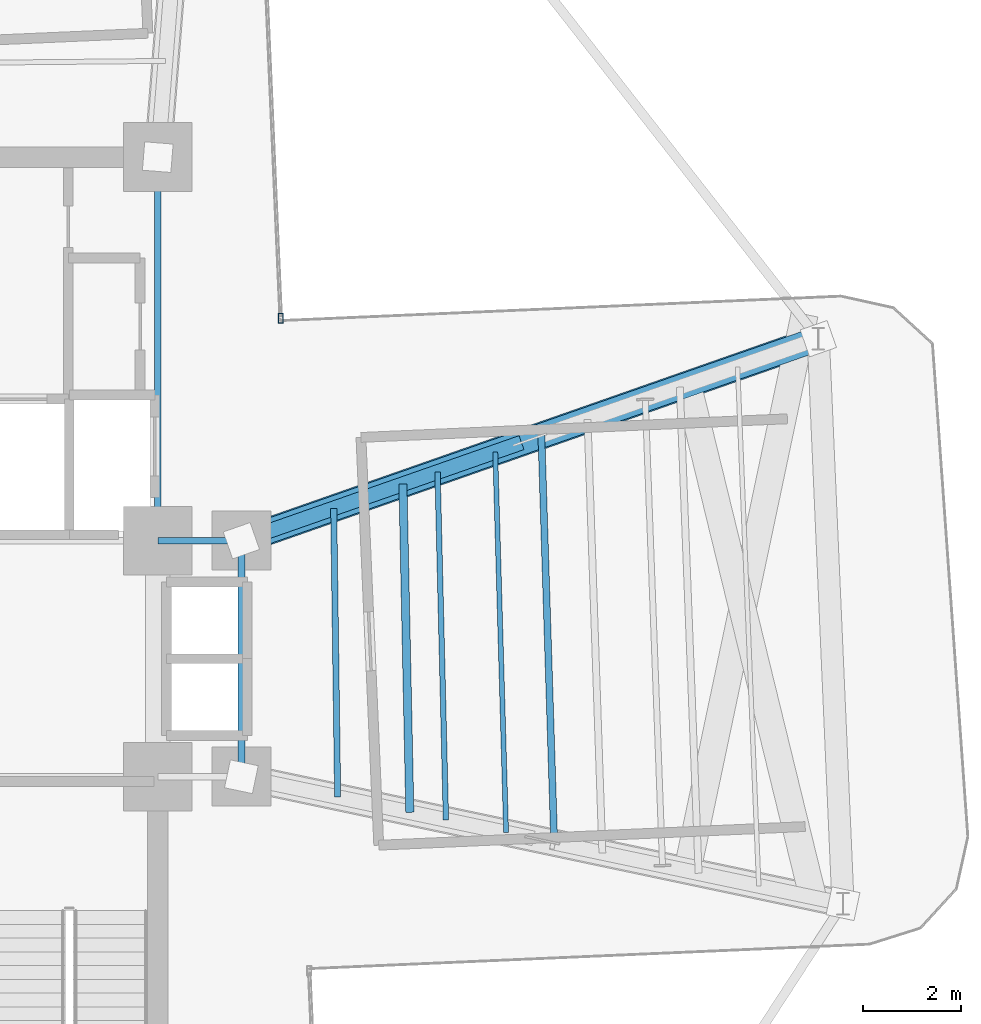
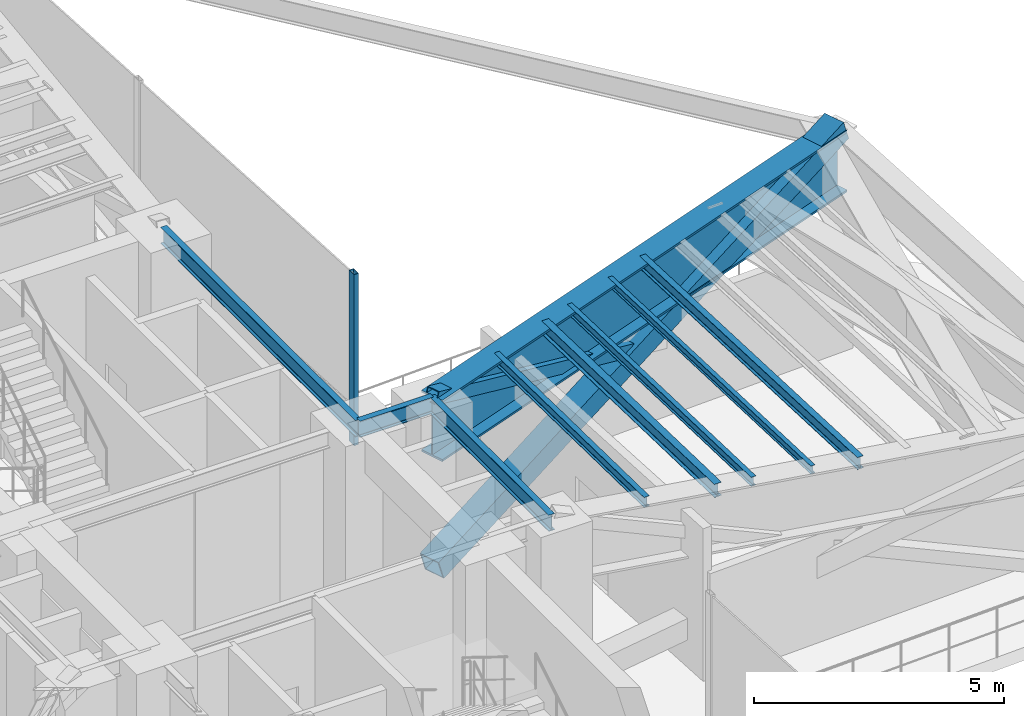
# One storey, part 7 of 18: 9 beams, 3 members, 1 element without a shape of its own.
"""IFC4 building model written with IfcOpenShell, lengths in metres."""

from ifc_helpers import new_model, si_unit, direction, frame, origin, origin_2d, place, context, subcontext, project, spatial, hollow_rectangle, i_section, extrude, source, transform, mapped, material, material_profile, profile_set, type_object, element, aggregate, save


model = new_model("IFC4")

# Units and contexts
model_context = context("Model", 3, precision=1e-05, world=origin(), true_north=direction((0.0, 1.0)))
body_context = subcontext(model_context, "Body", "Model", "MODEL_VIEW")
ifc_project = project(units=[si_unit("LENGTHUNIT", "METRE"), si_unit("AREAUNIT", "SQUARE_METRE"), si_unit("VOLUMEUNIT", "CUBIC_METRE"), si_unit("PLANEANGLEUNIT", "RADIAN"), si_unit("MASSUNIT", "GRAM", prefix="KILO")], contexts=[model_context])

# Site, building, storey
site_placement = place(None, origin())
site = spatial("IfcSite", under=ifc_project, at=site_placement, CompositionType="ELEMENT")
building_placement = place(site_placement, origin())
building = spatial("IfcBuilding", under=site, at=building_placement, Name="Sahyath Konkavel Grand Hotel", CompositionType="ELEMENT")
storey_placement = place(building_placement, frame((0.0, 0.0, 138.25)))
storey = spatial("IfcBuildingStorey", under=building, at=storey_placement, Name="L38", CompositionType="ELEMENT", Elevation=138.25)

# Beams
ifc_material_1 = material(Name="Steel E350", Category="steel")
ifc_material_profile_1 = material_profile(ifc_material_1, i_section(OverallWidth=0.139892578125, OverallDepth=0.39990234375, WebThickness=0.0087890625, FlangeThickness=0.01611328125, FilletRadius=0.013916015625, at=origin_2d()), Name="ISMB 400")
ifc_profile_set_1 = profile_set([ifc_material_profile_1], Name="Steel E350")
beam_type_1 = type_object("IfcBeamType", Name="BM-ISMB400", PredefinedType="BEAM", material=ifc_profile_set_1)
shared_shape_1 = source(origin(), body_context, "Body", "SweptSolid", [
    extrude(i_section(OverallWidth=0.139892578125, OverallDepth=0.39990234375, WebThickness=0.0087890625, FlangeThickness=0.01611328125, FilletRadius=0.013916015625, at=origin_2d()), origin(), (0.0, 0.0, 1.0), 7.800048828125),
])
beam_1_placement = place(storey_placement, frame((3.800048828125, 2.39990234375, 3.97998046875), z_axis=(0.0, 1.0, 0.0), x_axis=(-1.0, 0.0, 0.0)))
element("IfcBeam", 1, at=beam_1_placement, inside=storey, type_object=beam_type_1, Name="str:bm:L38:NC-E", PredefinedType="BEAM", context=body_context, shape_type="MappedRepresentation", body=[
    mapped(shared_shape_1, transform((0.0, 0.0, 0.0), scale=1.0)),
])
shared_shape_2 = source(origin(), body_context, "Body", "SweptSolid", [
    extrude(i_section(OverallWidth=0.139892578125, OverallDepth=0.39990234375, WebThickness=0.0087890625, FlangeThickness=0.01611328125, FilletRadius=0.013916015625, at=origin_2d()), origin(), (0.0, 0.0, 1.0), 1.699951171875),
])
beam_2_placement = place(storey_placement, frame((3.800048828125, 2.39990234375, 3.97998046875), z_axis=(1.0, 0.0, 0.0), x_axis=(0.0, 1.0, 0.0)))
element("IfcBeam", 2, at=beam_2_placement, inside=storey, type_object=beam_type_1, Name="str:bm:L38:HB-NE", PredefinedType="BEAM", context=body_context, shape_type="MappedRepresentation", body=[
    mapped(shared_shape_2, transform((0.0, 0.0, 0.0), scale=1.0)),
])
shared_shape_3 = source(origin(), body_context, "Body", "SweptSolid", [
    extrude(i_section(OverallWidth=0.139892578125, OverallDepth=0.39990234375, WebThickness=0.0087890625, FlangeThickness=0.01611328125, FilletRadius=0.013916015625, at=origin_2d()), origin(), (0.0, 0.0, 1.0), 4.7998046875),
])
beam_3_placement = place(storey_placement, frame((5.5, -2.39990234375, 3.97998046875), z_axis=(0.0, 1.0, 0.0), x_axis=(-1.0, 0.0, 0.0)))
element("IfcBeam", 3, at=beam_3_placement, inside=storey, type_object=beam_type_1, Name="str:bm:L38:HB-E", PredefinedType="BEAM", context=body_context, shape_type="MappedRepresentation", body=[
    mapped(shared_shape_3, transform((0.0, 0.0, 0.0), scale=1.0)),
])
ifc_material_profile_2 = material_profile(ifc_material_1, i_section(OverallWidth=0.1650390625, OverallDepth=0.324951171875, WebThickness=0.007080078125, FlangeThickness=0.009765625, FilletRadius=0.014892578125, at=origin_2d()), Name="ISLB 325")
ifc_profile_set_2 = profile_set([ifc_material_profile_2], Name="Steel E350")
beam_type_2 = type_object("IfcBeamType", Name="BM-ISLB325", PredefinedType="BEAM", material=ifc_profile_set_2)
shared_shape_4 = source(origin(), body_context, "Body", "SweptSolid", [
    extrude(i_section(OverallWidth=0.1650390625, OverallDepth=0.324951171875, WebThickness=0.007080078125, FlangeThickness=0.009765625, FilletRadius=0.014892578125, at=origin_2d()), origin(), (0.0, 0.0, 1.0), 6.674560546875),
])
beam_4_placement = place(storey_placement, frame((8.925537109375, -3.122802734375, 4.017578125), z_axis=(-0.021032188543, 0.999778799058, 0.0), x_axis=(-0.999778799058, -0.021032188543, 0.0)))
element("IfcBeam", 4, at=beam_4_placement, inside=storey, type_object=beam_type_2, Name="L38 Secondary Floor Beam E-1", PredefinedType="BEAM", context=body_context, shape_type="MappedRepresentation", body=[
    mapped(shared_shape_4, transform((0.0, 0.0, 0.0), scale=1.0)),
])
ifc_material_profile_3 = material_profile(ifc_material_1, i_section(OverallWidth=0.139892578125, OverallDepth=0.300048828125, WebThickness=0.0078125, FlangeThickness=0.01318359375, FilletRadius=0.013916015625, at=origin_2d()), Name="ISMB 300")
ifc_profile_set_3 = profile_set([ifc_material_profile_3], Name="Steel E350")
beam_type_3 = type_object("IfcBeamType", Name="BM-ISMB300", PredefinedType="BEAM", material=ifc_profile_set_3)
shared_shape_5 = source(origin(), body_context, "Body", "SweptSolid", [
    extrude(i_section(OverallWidth=0.139892578125, OverallDepth=0.300048828125, WebThickness=0.0078125, FlangeThickness=0.01318359375, FilletRadius=0.013916015625, at=origin_2d()), origin(), (0.0, 0.0, 1.0), 8.282470703125),
])
beam_5_placement = place(storey_placement, frame((11.86181640625, -3.7421875, 4.030029296875), z_axis=(-0.031510827707, 0.999503410568, 0.0), x_axis=(-0.999503410568, -0.031510827707, 0.0)))
element("IfcBeam", 5, at=beam_5_placement, inside=storey, type_object=beam_type_3, Name="L38 Secondary Floor Beam E-2", PredefinedType="BEAM", context=body_context, shape_type="MappedRepresentation", body=[
    mapped(shared_shape_5, transform((0.0, 0.0, 0.0), scale=1.0)),
])
ifc_material_2 = material(Name="Steel E450", Category="steel")
ifc_material_profile_4 = material_profile(ifc_material_2, i_section(OverallWidth=0.550048828125, OverallDepth=1.5, WebThickness=0.028076171875, FlangeThickness=0.050048828125, at=origin_2d()), Name="BPG 1500x550")
ifc_profile_set_4 = profile_set([ifc_material_profile_4], Name="Steel E450")
beam_type_4 = type_object("IfcBeamType", Name="BM-BPG1500", PredefinedType="BEAM", material=ifc_profile_set_4)
shared_shape_6 = source(origin(), body_context, "Body", "SweptSolid", [
    extrude(i_section(OverallWidth=0.550048828125, OverallDepth=1.5, WebThickness=0.028076171875, FlangeThickness=0.050048828125, at=origin_2d()), origin(), (0.0, 0.0, 1.0), 12.430908203125),
])
beam_6_placement = place(storey_placement, frame((5.5, 2.39990234375, 3.429931640625), z_axis=(0.943819157235, 0.330462400941, 0.0), x_axis=(-0.330462400941, 0.943819157235, 0.0)))
element("IfcBeam", 6, at=beam_6_placement, inside=storey, type_object=beam_type_4, Name="L38 Setback Transfer Girder EB", PredefinedType="BEAM", context=body_context, shape_type="MappedRepresentation", body=[
    mapped(shared_shape_6, transform((0.0, 0.0, 0.0), scale=1.0)),
])

# Members
ifc_material_profile_5 = material_profile(ifc_material_2, hollow_rectangle(XDim=0.5, YDim=0.5, WallThickness=0.02490234375, at=origin_2d()), Name="BOX 500x500x25")
ifc_profile_set_5 = profile_set([ifc_material_profile_5], Name="Steel E450")
member_type_1 = type_object("IfcMemberType", Name="BR-BOX500", PredefinedType="BRACE", material=ifc_profile_set_5)
shared_shape_7 = source(origin(), body_context, "Body", "SweptSolid", [
    extrude(hollow_rectangle(XDim=0.5, YDim=0.5, WallThickness=0.02490234375, at=origin_2d()), origin(), (0.0, 0.0, 1.0), 13.1083984375),
])
member_1_placement = place(storey_placement, frame((5.5, 2.39990234375, 0.010009765625), z_axis=(0.895032458723, 0.313380559149, 0.317347637427), x_axis=(-0.330462400941, 0.943819157235, 0.0)))
element("IfcMember", 7, at=member_1_placement, inside=storey, type_object=member_type_1, Name="L38 Core Outrigger Truss EB Continuous Diagonal 1", PredefinedType="BRACE", context=body_context, shape_type="MappedRepresentation", body=[
    mapped(shared_shape_7, transform((0.0, 0.0, 0.0), scale=1.0)),
])
ifc_material_profile_6 = material_profile(ifc_material_2, hollow_rectangle(XDim=0.300048828125, YDim=0.300048828125, WallThickness=0.01611328125, at=origin_2d()), Name="SHS 300x300x16")
ifc_profile_set_6 = profile_set([ifc_material_profile_6], Name="Steel E450")
member_type_2 = type_object("IfcMemberType", Name="BR-SHS300", PredefinedType="BRACE", material=ifc_profile_set_6)
shared_shape_8 = source(origin(), body_context, "Body", "SweptSolid", [
    extrude(hollow_rectangle(XDim=0.300048828125, YDim=0.300048828125, WallThickness=0.01611328125, at=origin_2d()), origin(), (0.0, 0.0, 1.0), 6.314208984375),
])
member_2_placement = place(storey_placement, frame((11.1513671875, 4.378662109375, 2.166259765625), z_axis=(-0.895036484998, -0.313386500385, 0.317330414393), x_axis=(0.330466657581, -0.943817666834, 0.0)))
element("IfcMember", 8, at=member_2_placement, inside=storey, type_object=member_type_2, Name="L38 Core Outrigger Truss EB Split Upper Diagonal 2B", PredefinedType="BRACE", context=body_context, shape_type="MappedRepresentation", body=[
    mapped(shared_shape_8, transform((0.0, 0.0, 0.0), scale=1.0)),
])

# Beams
ifc_material_profile_7 = material_profile(ifc_material_1, i_section(OverallWidth=0.125, OverallDepth=0.25, WebThickness=0.0068359375, FlangeThickness=0.012451171875, FilletRadius=0.012939453125, at=origin_2d()), Name="ISMB 250")
ifc_profile_set_7 = profile_set([ifc_material_profile_7], Name="Steel E350")
beam_type_5 = type_object("IfcBeamType", Name="BM-ISMB250", PredefinedType="BEAM", material=ifc_profile_set_7)
shared_shape_9 = source(origin(), body_context, "Body", "SweptSolid", [
    extrude(i_section(OverallWidth=0.125, OverallDepth=0.25, WebThickness=0.0068359375, FlangeThickness=0.012451171875, FilletRadius=0.012939453125, at=origin_2d()), origin(), (0.0, 0.0, 1.0), 5.870849609375),
])
beam_7_placement = place(storey_placement, frame((7.45751953125, -2.81298828125, 4.054931640625), z_axis=(-0.013681397685, 0.999906405299, 0.0), x_axis=(-0.999906405299, -0.013681397685, 0.0)))
element("IfcBeam", 9, at=beam_7_placement, inside=storey, type_object=beam_type_5, Name="L38 Composite Deck Sub-Beam E-1", PredefinedType="BEAM", context=body_context, shape_type="MappedRepresentation", body=[
    mapped(shared_shape_9, transform((0.0, 0.0, 0.0), scale=1.0)),
])
ifc_material_profile_8 = material_profile(ifc_material_1, i_section(OverallWidth=0.110107421875, OverallDepth=0.22509765625, WebThickness=0.006591796875, FlangeThickness=0.01171875, FilletRadius=0.011962890625, at=origin_2d()), Name="ISMB 225")
ifc_profile_set_8 = profile_set([ifc_material_profile_8], Name="Steel E350")
beam_type_6 = type_object("IfcBeamType", Name="BM-ISMB225", PredefinedType="BEAM", material=ifc_profile_set_8)
shared_shape_10 = source(origin(), body_context, "Body", "SweptSolid", [
    extrude(i_section(OverallWidth=0.110107421875, OverallDepth=0.22509765625, WebThickness=0.006591796875, FlangeThickness=0.01171875, FilletRadius=0.011962890625, at=origin_2d()), origin(), (0.0, 0.0, 1.0), 7.076171875),
])
beam_8_placement = place(storey_placement, frame((9.65966796875, -3.277587890625, 4.0673828125), z_axis=(-0.024116396364, 0.999709157419, 0.0), x_axis=(-0.999709157419, -0.024116396364, 0.0)))
element("IfcBeam", 10, at=beam_8_placement, inside=storey, type_object=beam_type_6, Name="L38 Composite Deck Sub-Beam E-2", PredefinedType="BEAM", context=body_context, shape_type="MappedRepresentation", body=[
    mapped(shared_shape_10, transform((0.0, 0.0, 0.0), scale=1.0)),
])
ifc_material_profile_9 = material_profile(ifc_material_1, i_section(OverallWidth=0.10009765625, OverallDepth=0.199951171875, WebThickness=0.005615234375, FlangeThickness=0.0107421875, FilletRadius=0.010986328125, at=origin_2d()), Name="ISMB 200")
ifc_profile_set_9 = profile_set([ifc_material_profile_9], Name="Steel E350")
beam_type_7 = type_object("IfcBeamType", Name="BM-ISMB200", PredefinedType="BEAM", material=ifc_profile_set_9)
shared_shape_11 = source(origin(), body_context, "Body", "SweptSolid", [
    extrude(i_section(OverallWidth=0.10009765625, OverallDepth=0.199951171875, WebThickness=0.005615234375, FlangeThickness=0.0107421875, FilletRadius=0.010986328125, at=origin_2d()), origin(), (0.0, 0.0, 1.0), 7.746337890625),
])
beam_9_placement = place(storey_placement, frame((10.883056640625, -3.53564453125, 4.080078125), z_axis=(-0.02849139268, 0.999594037869, 0.0), x_axis=(-0.999594037869, -0.02849139268, 0.0)))
element("IfcBeam", 11, at=beam_9_placement, inside=storey, type_object=beam_type_7, Name="L38 Composite Deck Sub-Beam E-3", PredefinedType="BEAM", context=body_context, shape_type="MappedRepresentation", body=[
    mapped(shared_shape_11, transform((0.0, 0.0, 0.0), scale=1.0)),
])

# Curtain wall, member
ifc_material_3 = material(Name="Anodised Bronze Aluminium & Low-E Glazing", Category="aluminium")
curtain_wall_type = type_object("IfcCurtainWallType", Name="CW-SKYLOBBY", PredefinedType="NOTDEFINED", material=ifc_material_3)
curtain_wall_placement = place(storey_placement, origin())
curtain_wall = element("IfcCurtainWall", 12, at=curtain_wall_placement, inside=storey, type_object=curtain_wall_type, Name="L38 Unitised Curtain Wall RF8", PredefinedType="NOTDEFINED")
ifc_material_4 = material(Name="Anodised Bronze Aluminium", Category="aluminium")
ifc_material_profile_10 = material_profile(ifc_material_4, hollow_rectangle(XDim=0.10009765625, YDim=0.199951171875, WallThickness=0.008056640625, at=origin_2d()), Name="RHS 200x100x8")
ifc_profile_set_10 = profile_set([ifc_material_profile_10], Name="Anodised Bronze Aluminium")
member_type_3 = type_object("IfcMemberType", Name="CW-MUL-200", PredefinedType="MULLION", material=ifc_profile_set_10)
shared_shape_12 = source(origin(), body_context, "Body", "SweptSolid", [
    extrude(hollow_rectangle(XDim=0.10009765625, YDim=0.199951171875, WallThickness=0.008056640625, at=origin_2d()), origin(), (0.0, 0.0, 1.0), 4.179931640625),
])
member_3_placement = place(storey_placement, frame((6.30419921875, 6.921630859375, 0.0), z_axis=(0.0, 0.0, 1.0), x_axis=(1.0, 0.0, 0.0)))
member_3 = element("IfcMember", 13, at=member_3_placement, type_object=member_type_3, Name="L38 Curtain Wall Mullion RF8-0", PredefinedType="MULLION", context=body_context, shape_type="MappedRepresentation", body=[
    mapped(shared_shape_12, transform((0.0, 0.0, 0.0), scale=1.0)),
])
aggregate(curtain_wall, [member_3])

save(model, "model.ifc")
